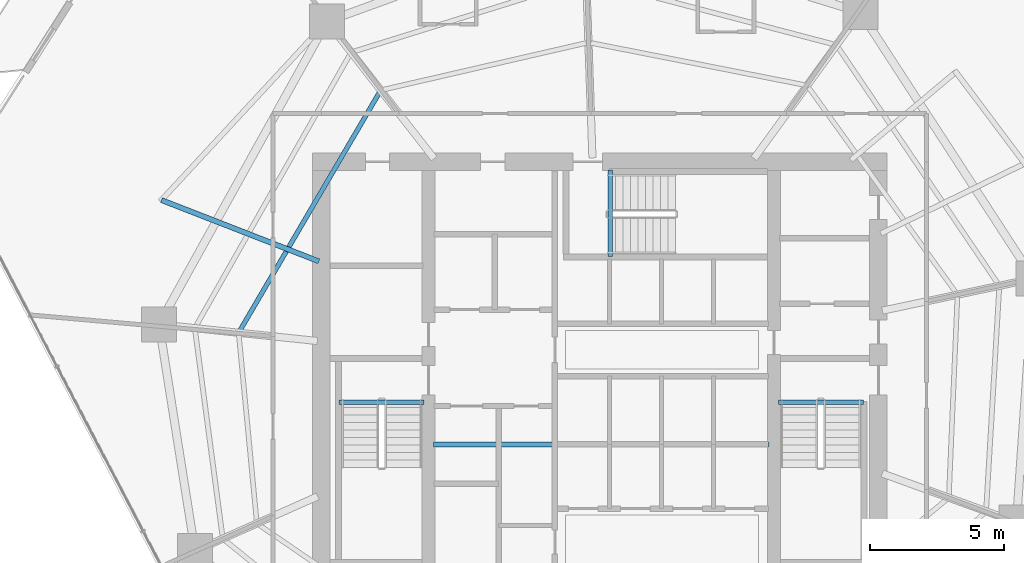
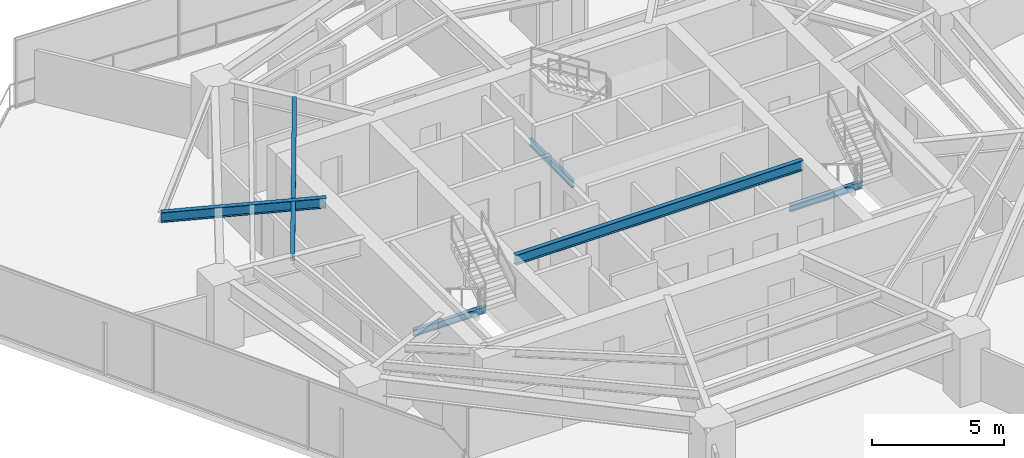
# One storey, part 10 of 30: 6 beams.
"""IFC4 building model written with IfcOpenShell, lengths in metres."""

import ifcopenshell
import ifcopenshell.guid

model = None  # the IFC model being written
_history = None  # IfcOwnerHistory: only IFC2X3 demands one
_inside = {}  # id of a spatial element -> (the spatial element, [elements in it])
_under = {}  # id of a project, library or spatial element -> (it, [spatial elements below it])
_declared = {}  # id of a project -> (the project, [libraries it declares])
_typed = {}  # id of a type object -> (the type object, [elements of that type])
_made_of = {}  # id of a material, layer set ... -> (it, [elements and type objects made of it])


def new_model(schema):
    """Start an empty IFC model of exactly this schema.

    Asked for "IFC4X3", IfcOpenShell would pick the latest addendum, in which some entities
    have other attributes; the version numbers below select the first issue.
    IFC2X3 requires an IfcOwnerHistory on every rooted entity: one is made here for all.
    """
    global model, _history
    if schema == "IFC4X3":
        model = ifcopenshell.file(schema_version=(4, 3, 0, 0))
    else:
        model = ifcopenshell.file(schema=schema)
    _inside.clear()
    _under.clear()
    _declared.clear()
    _typed.clear()
    _made_of.clear()
    _history = None
    if model.schema == "IFC2X3":
        org = make("IfcOrganization", Name="unknown")
        user = make(
            "IfcPersonAndOrganization",
            ThePerson=make("IfcPerson", FamilyName="unknown"),
            TheOrganization=org,
        )
        app = make(
            "IfcApplication",
            ApplicationDeveloper=org,
            Version="unknown",
            ApplicationFullName="unknown",
            ApplicationIdentifier="unknown",
        )
        _history = make(
            "IfcOwnerHistory",
            OwningUser=user,
            OwningApplication=app,
            ChangeAction="ADDED",
            CreationDate=0,
        )
    return model


def make(cls, **values):
    """One entity of the class cls with the attributes given. An attribute that is None is left unset."""
    return model.create_entity(
        cls, **{name: value for name, value in values.items() if value is not None}
    )


def rooted(cls, **values):
    """An entity with a GlobalId (a new one), such as an element, a storey or a relation."""
    return make(cls, GlobalId=ifcopenshell.guid.new(), OwnerHistory=_history, **values)


def si_unit(unit_type, name, prefix=None):
    """IfcSIUnit, for example si_unit("LENGTHUNIT", "METRE", prefix="MILLI")."""
    return make("IfcSIUnit", UnitType=unit_type, Prefix=prefix, Name=name)


def assignment(units):
    """IfcUnitAssignment: the units of a project."""
    return None if units is None else make("IfcUnitAssignment", Units=units)


def point(xyz):
    """IfcCartesianPoint."""
    return None if xyz is None else make("IfcCartesianPoint", Coordinates=xyz)


def direction(xyz):
    """IfcDirection."""
    return None if xyz is None else make("IfcDirection", DirectionRatios=xyz)


def frame(location, z_axis=None, x_axis=None):
    """IfcAxis2Placement3D, a coordinate frame: its origin and axes. An axis left out is left unset."""
    return make(
        "IfcAxis2Placement3D",
        Location=point(location),
        Axis=direction(z_axis),
        RefDirection=direction(x_axis),
    )


def frame_2d(location, x_axis=None):
    """IfcAxis2Placement2D, a coordinate frame in the plane: its origin and x axis."""
    return make(
        "IfcAxis2Placement2D", Location=point(location), RefDirection=direction(x_axis)
    )


def origin():
    """The frame at (0, 0, 0) with its axes left unset."""
    return frame((0.0, 0.0, 0.0))


def origin_2d():
    """The frame at (0, 0) in the plane with its x axis left unset."""
    return frame_2d((0.0, 0.0))


def place(relative_to, where):
    """IfcLocalPlacement: puts the frame where relative to a parent placement (None: the world)."""
    return make(
        "IfcLocalPlacement", PlacementRelTo=relative_to, RelativePlacement=where
    )


def context(
    kind, dimensions, precision=None, world=None, true_north=None, identifier=None
):
    """IfcGeometricRepresentationContext, for example the 3D "Model" context."""
    return make(
        "IfcGeometricRepresentationContext",
        ContextIdentifier=identifier,
        ContextType=kind,
        CoordinateSpaceDimension=dimensions,
        Precision=precision,
        WorldCoordinateSystem=world,
        TrueNorth=true_north,
    )


def subcontext(parent, identifier, kind, view, scale=None):
    """IfcGeometricRepresentationSubContext, for example "Body" below "Model"."""
    return make(
        "IfcGeometricRepresentationSubContext",
        ContextIdentifier=identifier,
        ContextType=kind,
        ParentContext=parent,
        TargetScale=scale,
        TargetView=view,
    )


def project(units=None, contexts=None):
    """IfcProject with its units and contexts."""
    return rooted(
        "IfcProject",
        Name="project",
        RepresentationContexts=contexts,
        UnitsInContext=assignment(units),
    )


def spatial(cls, under=None, at=None, **own):
    """A site, building, storey or space (cls), placed at a placement, below another one or the project."""
    s = rooted(cls, ObjectPlacement=at, **own)
    if under is not None:
        _under.setdefault(under.id(), (under, []))[1].append(s)
    return s


def profile(cls, at=None, kind="AREA", **sizes):
    """A parametric profile (cls). Its sizes go by their IFC names, for example OverallWidth=200.0."""
    return make(cls, ProfileType=kind, Position=at, **sizes)


def i_section(**sizes):
    """IfcIShapeProfileDef."""
    return profile("IfcIShapeProfileDef", **sizes)


def extrude(swept, where, along, depth):
    """IfcExtrudedAreaSolid: the profile swept, set in the frame where, extruded along a direction by depth."""
    return make(
        "IfcExtrudedAreaSolid",
        SweptArea=swept,
        Position=where,
        ExtrudedDirection=direction(along),
        Depth=depth,
    )


def shape(context_of_items, identifier, shape_type, items):
    """IfcShapeRepresentation: the items that make up one representation, for example the "Body"."""
    return make(
        "IfcShapeRepresentation",
        ContextOfItems=context_of_items,
        RepresentationIdentifier=identifier,
        RepresentationType=shape_type,
        Items=items,
    )


def material(Name=None, Category=None):
    """IfcMaterial."""
    return make("IfcMaterial", Name=Name, Category=Category)


def material_profile(
    of_material, cross_section, Name=None, Category=None, Priority=None
):
    """IfcMaterialProfile: a cross section and its material."""
    return make(
        "IfcMaterialProfile",
        Name=Name,
        Material=of_material,
        Profile=cross_section,
        Priority=Priority,
        Category=Category,
    )


def profile_set(profiles, Name=None, composite=None):
    """IfcMaterialProfileSet."""
    return make(
        "IfcMaterialProfileSet",
        Name=Name,
        MaterialProfiles=profiles,
        CompositeProfile=composite,
    )


def made_of(thing, what):
    """Note that an element or type object is made of a material, layer set ...; save() writes the relation."""
    if what is not None:
        _made_of.setdefault(what.id(), (what, []))[1].append(thing)
    return thing


def type_object(cls, material=None, **own):
    """A type object (cls), such as IfcWallType, which elements share."""
    return made_of(rooted(cls, **own), material)


def element(
    cls,
    number,
    at=None,
    inside=None,
    cuts=None,
    type_object=None,
    material=None,
    context=None,
    identifier="Body",
    shape_type=None,
    held_by="IfcProductDefinitionShape",
    body=None,
    shapes=None,
    **own,
):
    """One element of the class cls, such as IfcWall. Its Tag is "e" and its number.

    at: its placement. inside: the storey or other place that contains it. cuts: it is an
    opening in that element (IfcRelVoidsElement). A single representation is given by context,
    identifier, shape_type and body (its items); several are given by shapes. held_by: the class
    of the entity that holds the representations. save() writes the other relations.
    """
    e = rooted(cls, Tag="e%d" % number, ObjectPlacement=at, **own)
    if body is not None:
        shapes = [shape(context, identifier, shape_type, body)]
    if shapes is not None:
        e.Representation = make(held_by, Representations=shapes)
    if inside is not None:
        _inside.setdefault(inside.id(), (inside, []))[1].append(e)
    if cuts is not None:
        rooted(
            "IfcRelVoidsElement", RelatingBuildingElement=cuts, RelatedOpeningElement=e
        )
    if type_object is not None:
        _typed.setdefault(type_object.id(), (type_object, []))[1].append(e)
    return made_of(e, material)


def aggregate(whole, parts):
    """IfcRelAggregates: a whole, such as a stair, and the parts it consists of."""
    return rooted("IfcRelAggregates", RelatingObject=whole, RelatedObjects=parts)


def save(model, path):
    """Write the relations noted so far, then the file.

    IfcRelAggregates (storeys below a building ...), IfcRelContainedInSpatialStructure (elements
    in a storey), IfcRelDefinesByType, IfcRelAssociatesMaterial and IfcRelDeclares: one each for
    every whole, place, type object, material and project.
    """
    for whole, parts in _under.values():
        aggregate(whole, parts)
    for where, things in _inside.values():
        rooted(
            "IfcRelContainedInSpatialStructure",
            RelatedElements=things,
            RelatingStructure=where,
        )
    for kind, things in _typed.values():
        rooted("IfcRelDefinesByType", RelatedObjects=things, RelatingType=kind)
    for what, things in _made_of.values():
        rooted("IfcRelAssociatesMaterial", RelatedObjects=things, RelatingMaterial=what)
    for by, libraries in _declared.values():
        rooted("IfcRelDeclares", RelatingContext=by, RelatedDefinitions=libraries)
    model.write(path)


model = new_model("IFC4")

# Units and contexts
model_context = context("Model", 3, precision=1e-05, world=origin(), true_north=direction((0.0, 1.0)))
body_context = subcontext(model_context, "Body", "Model", "MODEL_VIEW")
ifc_project = project(units=[si_unit("LENGTHUNIT", "METRE"), si_unit("AREAUNIT", "SQUARE_METRE"), si_unit("VOLUMEUNIT", "CUBIC_METRE"), si_unit("PLANEANGLEUNIT", "RADIAN"), si_unit("MASSUNIT", "GRAM", prefix="KILO")], contexts=[model_context])

# Site, building, storey
site_placement = place(None, origin())
site = spatial("IfcSite", under=ifc_project, at=site_placement, CompositionType="ELEMENT")
building_placement = place(site_placement, origin())
building = spatial("IfcBuilding", under=site, at=building_placement, Name="Qarnah Convention Tower", CompositionType="ELEMENT")
storey_placement = place(building_placement, frame((0.0, 0.0, 58.050048828125)))
storey = spatial("IfcBuildingStorey", under=building, at=storey_placement, Name="L14", CompositionType="ELEMENT", Elevation=58.050048828125)

# Beams
ifc_material = material(Name="Structural steel S355JR", Category="steel")
ifc_material_profile_1 = material_profile(ifc_material, i_section(OverallWidth=0.19189453125, OverallDepth=0.464111328125, WebThickness=0.010986328125, FlangeThickness=0.01806640625, at=origin_2d()), Name="W460X89")
ifc_profile_set_1 = profile_set([ifc_material_profile_1], Name="Structural steel S355JR")
beam_type_1 = type_object("IfcBeamType", Name="BM-CANT-W460A", PredefinedType="BEAM", material=ifc_profile_set_1)
beam_1_placement = place(storey_placement, frame((30.97998046875, 23.64990234375, 2.93798828125), z_axis=(1.0, 0.0, 0.0), x_axis=(0.0, 1.0, 0.0)))
element("IfcBeam", 1, at=beam_1_placement, inside=storey, type_object=beam_type_1, Name="L14 beam BM-L14-KC1", PredefinedType="BEAM", context=body_context, shape_type="SweptSolid", body=[
    extrude(i_section(OverallWidth=0.19189453125, OverallDepth=0.464111328125, WebThickness=0.010986328125, FlangeThickness=0.01806640625, at=origin_2d()), origin(), (0.0, 0.0, 1.0), 12.5400390625),
])
beam_2_placement = place(storey_placement, frame((26.70703125, 30.48388671875, 2.93798828125), z_axis=(-0.931897088326, 0.36272278226, 0.0), x_axis=(-0.36272278226, -0.931897088326, 0.0)))
element("IfcBeam", 2, at=beam_2_placement, inside=storey, type_object=beam_type_1, Name="L14 beam BM-L14-CNT-02-2", PredefinedType="BEAM", context=body_context, shape_type="SweptSolid", body=[
    extrude(i_section(OverallWidth=0.19189453125, OverallDepth=0.464111328125, WebThickness=0.010986328125, FlangeThickness=0.01806640625, at=origin_2d()), origin(), (0.0, 0.0, 1.0), 6.305419921875),
])
ifc_material_profile_2 = material_profile(ifc_material, i_section(OverallWidth=0.166015625, OverallDepth=0.31201171875, WebThickness=0.007080078125, FlangeThickness=0.010986328125, at=origin_2d()), Name="W310X45")
ifc_profile_set_2 = profile_set([ifc_material_profile_2], Name="Structural steel S355JR")
beam_type_2 = type_object("IfcBeamType", Name="BM-JST-W310", PredefinedType="JOIST", material=ifc_profile_set_2)
for number, where, z_axis, x_axis, name in (
    (3, (27.4599609375, 25.217041015625, -0.156005859375), (1.0, 0.0, 0.0), (0.0, 1.0, 0.0), "L14 stair landing trimmer beam BM-L14-ST1-TRM"),
    (4, (43.860107421875, 25.217041015625, -0.156005859375), (1.0, 0.0, 0.0), (0.0, 1.0, 0.0), "L14 stair landing trimmer beam BM-L14-ST2-TRM"),
):
    element("IfcBeam", number, at=place(storey_placement, frame(where, z_axis=z_axis, x_axis=x_axis)), inside=storey, type_object=beam_type_2, Name=name, PredefinedType="BEAM", context=body_context, shape_type="SweptSolid", body=[
        extrude(i_section(OverallWidth=0.166015625, OverallDepth=0.31201171875, WebThickness=0.007080078125, FlangeThickness=0.010986328125, at=origin_2d()), origin(), (0.0, 0.0, 1.0), 3.179931640625),
    ])
beam_3_placement = place(storey_placement, frame((37.5830078125, 30.659912109375, -0.156005859375), z_axis=(0.0, 1.0, 0.0), x_axis=(-1.0, 0.0, 0.0)))
element("IfcBeam", 5, at=beam_3_placement, inside=storey, type_object=beam_type_2, Name="L14 stair landing trimmer beam BM-L14-ST3-TRM", PredefinedType="BEAM", context=body_context, shape_type="SweptSolid", body=[
    extrude(i_section(OverallWidth=0.166015625, OverallDepth=0.31201171875, WebThickness=0.007080078125, FlangeThickness=0.010986328125, at=origin_2d()), origin(), (0.0, 0.0, 1.0), 3.239990234375),
])
ifc_material_profile_3 = material_profile(ifc_material, i_section(OverallWidth=0.172119140625, OverallDepth=0.35595703125, WebThickness=0.007080078125, FlangeThickness=0.011962890625, at=origin_2d()), Name="W360X51")
ifc_profile_set_3 = profile_set([ifc_material_profile_3], Name="Structural steel S355JR")
beam_type_3 = type_object("IfcBeamType", Name="BM-JST-W360", PredefinedType="JOIST", material=ifc_profile_set_3)
beam_4_placement = place(storey_placement, frame((28.971923828125, 36.794921875, 2.991943359375), z_axis=(-0.505662399999, -0.862731439804, 0.0), x_axis=(0.862731439804, -0.505662399999, 0.0)))
element("IfcBeam", 6, at=beam_4_placement, inside=storey, type_object=beam_type_3, Name="L14 joist BM-L14-IJST-04", PredefinedType="JOIST", context=body_context, shape_type="SweptSolid", body=[
    extrude(i_section(OverallWidth=0.172119140625, OverallDepth=0.35595703125, WebThickness=0.007080078125, FlangeThickness=0.011962890625, at=origin_2d()), origin(), (0.0, 0.0, 1.0), 10.31494140625),
])

save(model, "model.ifc")
